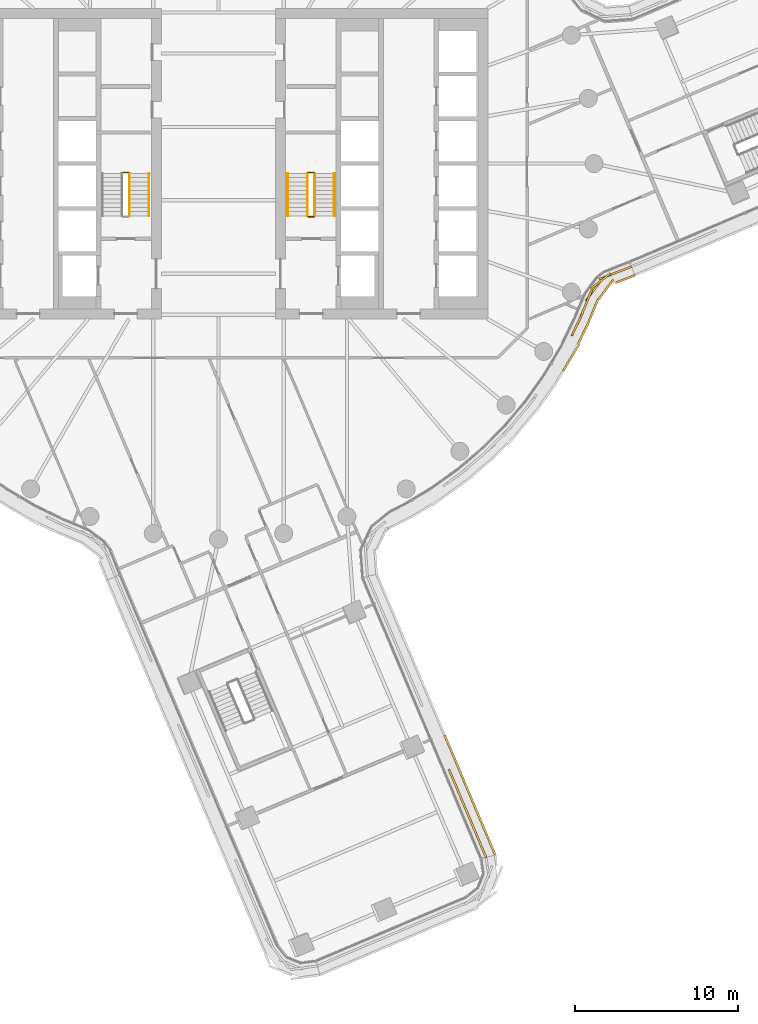
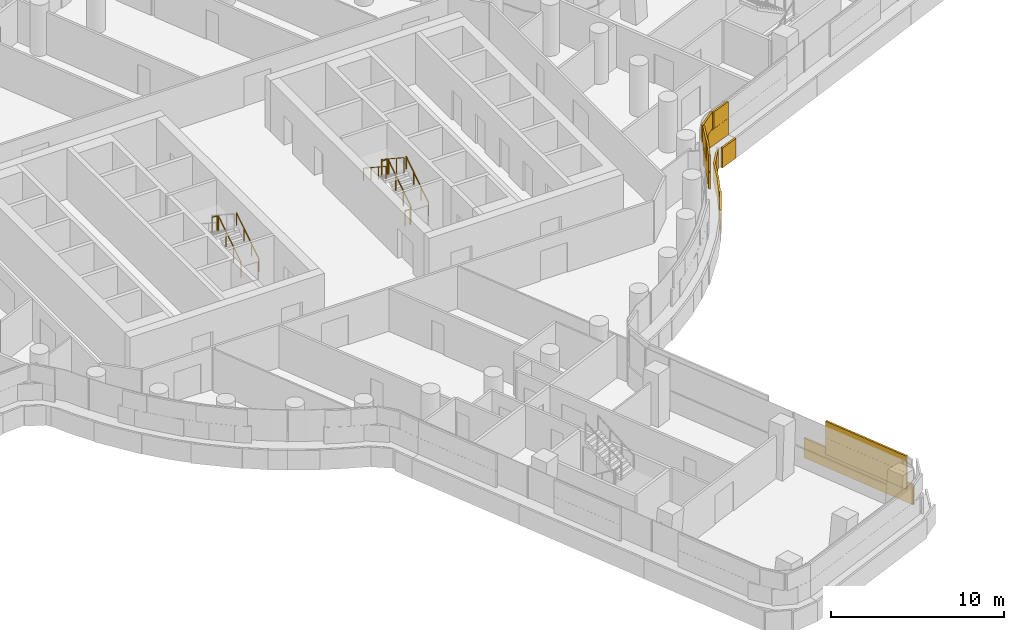
# One storey, part 31 of 35: 9 railings, 2 coverings.
"""IFC4 building model written with IfcOpenShell, lengths in metres."""

from ifc_helpers import new_model, si_unit, direction, frame, origin, origin_2d, place, context, subcontext, project, spatial, rectangle, circle, extrude, material, layer, layer_set, type_object, element, save


model = new_model("IFC4")

# Units and contexts
model_context = context("Model", 3, precision=1e-05, world=origin(), true_north=direction((0.0, 1.0)))
body_context = subcontext(model_context, "Body", "Model", "MODEL_VIEW")
ifc_project = project(units=[si_unit("LENGTHUNIT", "METRE"), si_unit("AREAUNIT", "SQUARE_METRE"), si_unit("VOLUMEUNIT", "CUBIC_METRE"), si_unit("PLANEANGLEUNIT", "RADIAN"), si_unit("MASSUNIT", "GRAM", prefix="KILO")], contexts=[model_context])

# Site, building, storey
site_placement = place(None, origin())
site = spatial("IfcSite", under=ifc_project, at=site_placement, CompositionType="ELEMENT")
building_placement = place(site_placement, origin())
building = spatial("IfcBuilding", under=site, at=building_placement, Name="Tamarind Cross Interchange Tower", CompositionType="ELEMENT")
storey_placement = place(building_placement, frame((0.0, 0.0, 117.25)))
storey = spatial("IfcBuildingStorey", under=building, at=storey_placement, Name="L28", CompositionType="ELEMENT", Elevation=117.25)

# Railings
ifc_material_1 = material(Name="Stair guard")
railing_type_1 = type_object("IfcRailingType", Name="Stair guard", PredefinedType="GUARDRAIL", material=ifc_material_1)
railing_1_placement = place(storey_placement, frame((-5.449951171875, -3.199951171875, 0.17041015625)))
element("IfcRailing", 1, at=railing_1_placement, inside=storey, type_object=railing_type_1, Name="L28 ST1 stair guard 1", PredefinedType="GUARDRAIL", context=body_context, shape_type="SweptSolid", body=[
    extrude(circle(Radius=0.02392578125, at=origin_2d()), frame((0.0, 0.0, 1.076171875), z_axis=(0.0, 0.836278606002, 0.548304744775), x_axis=(-1.0, 0.0, 0.0)), (0.0, 0.0, 1.0), 3.10888671875),
    extrude(circle(Radius=0.02099609375, at=origin_2d()), origin(), (0.0, 0.0, 1.0), 1.052001953125),
    extrude(circle(Radius=0.02099609375, at=origin_2d()), frame((0.0, 0.86669921875, 0.568115234375)), (0.0, 0.0, 1.0), 1.052001953125),
    extrude(circle(Radius=0.02099609375, at=origin_2d()), frame((0.0, 1.733154296875, 1.136474609375)), (0.0, 0.0, 1.0), 1.052001953125),
    extrude(circle(Radius=0.02099609375, at=origin_2d()), frame((0.0, 2.599853515625, 1.70458984375)), (0.0, 0.0, 1.0), 1.052001953125),
])
railing_2_placement = place(storey_placement, frame((-5.5, -0.550048828125, 1.875)))
element("IfcRailing", 2, at=railing_2_placement, inside=storey, type_object=railing_type_1, Name="L28 ST1 stair guard 2", PredefinedType="GUARDRAIL", context=body_context, shape_type="SweptSolid", body=[
    extrude(circle(Radius=0.02392578125, at=origin_2d()), frame((0.0, 0.0, 1.076171875), z_axis=(-1.0, 0.0, 0.0), x_axis=(0.0, -1.0, 0.0)), (0.0, 0.0, 1.0), 0.35009765625),
    extrude(circle(Radius=0.02099609375, at=origin_2d()), origin(), (0.0, 0.0, 1.0), 1.052001953125),
    extrude(circle(Radius=0.02099609375, at=origin_2d()), frame((-0.35009765625, 0.0, 0.0)), (0.0, 0.0, 1.0), 1.052001953125),
])
railing_3_placement = place(storey_placement, frame((5.89990234375, -3.199951171875, 0.17041015625)))
element("IfcRailing", 3, at=railing_3_placement, inside=storey, type_object=railing_type_1, Name="L28 ST2 stair guard 1", PredefinedType="GUARDRAIL", context=body_context, shape_type="SweptSolid", body=[
    extrude(circle(Radius=0.02392578125, at=origin_2d()), frame((0.0, 0.0, 1.076171875), z_axis=(0.0, 0.836278606002, 0.548304744775), x_axis=(-1.0, 0.0, 0.0)), (0.0, 0.0, 1.0), 3.10888671875),
    extrude(circle(Radius=0.02099609375, at=origin_2d()), origin(), (0.0, 0.0, 1.0), 1.052001953125),
    extrude(circle(Radius=0.02099609375, at=origin_2d()), frame((0.0, 0.86669921875, 0.568115234375)), (0.0, 0.0, 1.0), 1.052001953125),
    extrude(circle(Radius=0.02099609375, at=origin_2d()), frame((0.0, 1.733154296875, 1.136474609375)), (0.0, 0.0, 1.0), 1.052001953125),
    extrude(circle(Radius=0.02099609375, at=origin_2d()), frame((0.0, 2.599853515625, 1.70458984375)), (0.0, 0.0, 1.0), 1.052001953125),
])
railing_4_placement = place(storey_placement, frame((5.85009765625, -0.550048828125, 1.875)))
element("IfcRailing", 4, at=railing_4_placement, inside=storey, type_object=railing_type_1, Name="L28 ST2 stair guard 2", PredefinedType="GUARDRAIL", context=body_context, shape_type="SweptSolid", body=[
    extrude(circle(Radius=0.02392578125, at=origin_2d()), frame((0.0, 0.0, 1.076171875), z_axis=(-1.0, 0.0, 0.0), x_axis=(0.0, -1.0, 0.0)), (0.0, 0.0, 1.0), 0.35009765625),
    extrude(circle(Radius=0.02099609375, at=origin_2d()), origin(), (0.0, 0.0, 1.0), 1.052001953125),
    extrude(circle(Radius=0.02099609375, at=origin_2d()), frame((-0.35009765625, 0.0, 0.0)), (0.0, 0.0, 1.0), 1.052001953125),
])
railing_5_placement = place(storey_placement, frame((5.449951171875, -0.60009765625, 2.04541015625)))
element("IfcRailing", 5, at=railing_5_placement, inside=storey, type_object=railing_type_1, Name="L28 ST2 stair guard 3", PredefinedType="GUARDRAIL", context=body_context, shape_type="SweptSolid", body=[
    extrude(circle(Radius=0.02392578125, at=origin_2d()), frame((0.0, 0.0, 1.076171875), z_axis=(0.0, -0.836278606002, 0.548304744775), x_axis=(1.0, 0.0, 0.0)), (0.0, 0.0, 1.0), 3.10888671875),
    extrude(circle(Radius=0.02099609375, at=origin_2d()), origin(), (0.0, 0.0, 1.0), 1.052001953125),
    extrude(circle(Radius=0.02099609375, at=origin_2d()), frame((0.0, -0.86669921875, 0.568115234375)), (0.0, 0.0, 1.0), 1.052001953125),
    extrude(circle(Radius=0.02099609375, at=origin_2d()), frame((0.0, -1.733154296875, 1.136474609375)), (0.0, 0.0, 1.0), 1.052001953125),
    extrude(circle(Radius=0.02099609375, at=origin_2d()), frame((0.0, -2.599853515625, 1.70458984375)), (0.0, 0.0, 1.0), 1.052001953125),
])
railing_6_placement = place(storey_placement, frame((5.85009765625, -3.25, 0.0)))
element("IfcRailing", 6, at=railing_6_placement, inside=storey, type_object=railing_type_1, Name="L28 ST2 stair guard 4", PredefinedType="GUARDRAIL", context=body_context, shape_type="SweptSolid", body=[
    extrude(circle(Radius=0.02392578125, at=origin_2d()), frame((0.0, 0.0, 1.076171875), z_axis=(-1.0, 0.0, 0.0), x_axis=(0.0, -1.0, 0.0)), (0.0, 0.0, 1.0), 0.35009765625),
    extrude(circle(Radius=0.02099609375, at=origin_2d()), origin(), (0.0, 0.0, 1.0), 1.052001953125),
    extrude(circle(Radius=0.02099609375, at=origin_2d()), frame((-0.35009765625, 0.0, 0.0)), (0.0, 0.0, 1.0), 1.052001953125),
])
ifc_material_2 = material(Name="Stair handrail")
railing_type_2 = type_object("IfcRailingType", Name="Stair handrail", PredefinedType="HANDRAIL", material=ifc_material_2)
for number, where, name in (
    (7, (-4.25, -3.199951171875, 0.17041015625), "L28 ST1 stair handrail 1"),
    (8, (7.10009765625, -3.199951171875, 0.17041015625), "L28 ST2 stair handrail 1"),
):
    element("IfcRailing", number, at=place(storey_placement, frame(where)), inside=storey, type_object=railing_type_2, Name=name, PredefinedType="HANDRAIL", context=body_context, shape_type="SweptSolid", body=[
        extrude(circle(Radius=0.02392578125, at=origin_2d()), frame((0.0, 0.0, 0.8759765625), z_axis=(0.0, 0.836278606002, 0.548304744775), x_axis=(-1.0, 0.0, 0.0)), (0.0, 0.0, 1.0), 3.10888671875),
        extrude(circle(Radius=0.02099609375, at=origin_2d()), origin(), (0.0, 0.0, 1.0), 0.851806640625),
        extrude(circle(Radius=0.02099609375, at=origin_2d()), frame((0.0, 0.86669921875, 0.568115234375)), (0.0, 0.0, 1.0), 0.851806640625),
        extrude(circle(Radius=0.02099609375, at=origin_2d()), frame((0.0, 1.733154296875, 1.136474609375)), (0.0, 0.0, 1.0), 0.851806640625),
        extrude(circle(Radius=0.02099609375, at=origin_2d()), frame((0.0, 2.599853515625, 1.70458984375)), (0.0, 0.0, 1.0), 0.851806640625),
    ])
railing_7_placement = place(storey_placement, frame((4.25, -0.60009765625, 2.04541015625)))
element("IfcRailing", 9, at=railing_7_placement, inside=storey, type_object=railing_type_2, Name="L28 ST2 stair handrail 2", PredefinedType="HANDRAIL", context=body_context, shape_type="SweptSolid", body=[
    extrude(circle(Radius=0.02392578125, at=origin_2d()), frame((0.0, 0.0, 0.8759765625), z_axis=(0.0, -0.836278606002, 0.548304744775), x_axis=(1.0, 0.0, 0.0)), (0.0, 0.0, 1.0), 3.10888671875),
    extrude(circle(Radius=0.02099609375, at=origin_2d()), origin(), (0.0, 0.0, 1.0), 0.851806640625),
    extrude(circle(Radius=0.02099609375, at=origin_2d()), frame((0.0, -0.86669921875, 0.568115234375)), (0.0, 0.0, 1.0), 0.851806640625),
    extrude(circle(Radius=0.02099609375, at=origin_2d()), frame((0.0, -1.733154296875, 1.136474609375)), (0.0, 0.0, 1.0), 0.851806640625),
    extrude(circle(Radius=0.02099609375, at=origin_2d()), frame((0.0, -2.599853515625, 1.70458984375)), (0.0, 0.0, 1.0), 0.851806640625),
])

# Coverings
ifc_material_3 = material(Name="Terracotta", Category="masonry")
ifc_layer = layer(ifc_material_3, 0.1201171875)
ifc_layer_set = layer_set([ifc_layer], Name="Terracotta")
covering_type = type_object("IfcCoveringType", Name="Terracotta baguette screen unit", PredefinedType="MOLDING", material=ifc_layer_set)
covering_1_placement = place(storey_placement, origin())
element("IfcCovering", 10, at=covering_1_placement, inside=storey, type_object=covering_type, Name="SCR-L28-05-00", PredefinedType="MOLDING", context=body_context, shape_type="SweptSolid", body=[
    extrude(rectangle(XDim=1.510009765625, YDim=0.1201171875, at=origin_2d()), frame((16.1015625, -41.800048828125, 1.404052734375), z_axis=(0.0, 0.0, 1.0), x_axis=(-0.388938701154, 0.921263635853, 0.0)), (0.0, 0.0, 1.0), 1.1669921875),
    extrude(rectangle(XDim=1.52001953125, YDim=0.1201171875, at=origin_2d()), frame((15.518310546875, -40.418212890625, 1.404052734375), z_axis=(0.0, 0.0, 1.0), x_axis=(-0.388938701154, 0.921263635853, 0.0)), (0.0, 0.0, 1.0), 1.1669921875),
    extrude(rectangle(XDim=1.52001953125, YDim=0.1201171875, at=origin_2d()), frame((14.934814453125, -39.036376953125, 1.404052734375), z_axis=(0.0, 0.0, 1.0), x_axis=(-0.388938701154, 0.921263635853, 0.0)), (0.0, 0.0, 1.0), 1.1669921875),
    extrude(rectangle(XDim=1.362548828125, YDim=0.1201171875, at=origin_2d()), frame((14.380126953125, -37.722412109375, 1.404052734375), z_axis=(0.0, 0.0, 1.0), x_axis=(-0.388938701154, 0.921263635853, 0.0)), (0.0, 0.0, 1.0), 1.1669921875),
    extrude(rectangle(XDim=0.760009765625, YDim=0.1201171875, at=origin_2d()), frame((16.24755859375, -42.1455078125, 2.5791015625), z_axis=(0.0, 0.0, 1.0), x_axis=(-0.388938701154, 0.921263635853, 0.0)), (0.0, 0.0, 1.0), 1.1669921875),
    extrude(rectangle(XDim=1.52001953125, YDim=0.1201171875, at=origin_2d()), frame((15.809814453125, -41.109130859375, 2.5791015625), z_axis=(0.0, 0.0, 1.0), x_axis=(-0.388938701154, 0.921263635853, 0.0)), (0.0, 0.0, 1.0), 1.1669921875),
    extrude(rectangle(XDim=1.52001953125, YDim=0.1201171875, at=origin_2d()), frame((15.2265625, -39.727294921875, 2.5791015625), z_axis=(0.0, 0.0, 1.0), x_axis=(-0.388938701154, 0.921263635853, 0.0)), (0.0, 0.0, 1.0), 1.1669921875),
    extrude(rectangle(XDim=1.52001953125, YDim=0.1201171875, at=origin_2d()), frame((14.64306640625, -38.345458984375, 2.5791015625), z_axis=(0.0, 0.0, 1.0), x_axis=(-0.388938701154, 0.921263635853, 0.0)), (0.0, 0.0, 1.0), 1.1669921875),
    extrude(rectangle(XDim=0.612548828125, YDim=0.1201171875, at=origin_2d()), frame((14.234130859375, -37.376953125, 2.5791015625), z_axis=(0.0, 0.0, 1.0), x_axis=(-0.388938701154, 0.921263635853, 0.0)), (0.0, 0.0, 1.0), 1.1669921875),
    extrude(rectangle(XDim=1.510009765625, YDim=0.1201171875, at=origin_2d()), frame((16.65771484375, -41.641357421875, 0.00390625), z_axis=(0.0, 0.0, 1.0), x_axis=(-0.388938701154, 0.921263635853, 0.0)), (0.0, 0.0, 1.0), 1.39208984375),
    extrude(rectangle(XDim=1.52001953125, YDim=0.1201171875, at=origin_2d()), frame((16.076171875, -40.26416015625, 0.00390625), z_axis=(0.0, 0.0, 1.0), x_axis=(-0.388938701154, 0.921263635853, 0.0)), (0.0, 0.0, 1.0), 1.39208984375),
    extrude(rectangle(XDim=1.52001953125, YDim=0.1201171875, at=origin_2d()), frame((15.492919921875, -38.88232421875, 0.00390625), z_axis=(0.0, 0.0, 1.0), x_axis=(-0.388938701154, 0.921263635853, 0.0)), (0.0, 0.0, 1.0), 1.39208984375),
    extrude(rectangle(XDim=1.52001953125, YDim=0.1201171875, at=origin_2d()), frame((14.909423828125, -37.500244140625, 0.00390625), z_axis=(0.0, 0.0, 1.0), x_axis=(-0.388938701154, 0.921263635853, 0.0)), (0.0, 0.0, 1.0), 1.39208984375),
    extrude(rectangle(XDim=1.52001953125, YDim=0.1201171875, at=origin_2d()), frame((14.325927734375, -36.118408203125, 0.00390625), z_axis=(0.0, 0.0, 1.0), x_axis=(-0.388938701154, 0.921263635853, 0.0)), (0.0, 0.0, 1.0), 1.39208984375),
    extrude(rectangle(XDim=0.453857421875, YDim=0.1201171875, at=origin_2d()), frame((13.949951171875, -35.2275390625, 0.00390625), z_axis=(0.0, 0.0, 1.0), x_axis=(-0.388938701154, 0.921263635853, 0.0)), (0.0, 0.0, 1.0), 1.39208984375),
])
covering_2_placement = place(storey_placement, origin())
element("IfcCovering", 11, at=covering_2_placement, inside=storey, type_object=covering_type, Name="SCR-L28-06-01", PredefinedType="MOLDING", context=body_context, shape_type="SweptSolid", body=[
    extrude(rectangle(XDim=0.824462890625, YDim=0.1201171875, at=origin_2d()), frame((21.810546875, -10.176513671875, 1.404052734375), z_axis=(0.0, 0.0, 1.0), x_axis=(0.435326231914, 0.900272776334, 0.0)), (0.0, 0.0, 1.0), 1.1669921875),
    extrude(rectangle(XDim=1.52001953125, YDim=0.1201171875, at=origin_2d()), frame((22.288818359375, -9.123291015625, 1.404052734375), z_axis=(0.0, 0.0, 1.0), x_axis=(0.383930399999, 0.92336203515, 0.0)), (0.0, 0.0, 1.0), 1.1669921875),
    extrude(rectangle(XDim=1.52001953125, YDim=0.1201171875, at=origin_2d()), frame((22.954833984375, -7.789306640625, 1.404052734375), z_axis=(0.0, 0.0, 1.0), x_axis=(0.594688681697, 0.803956075829, 0.0)), (0.0, 0.0, 1.0), 1.1669921875),
    extrude(rectangle(XDim=1.52001953125, YDim=0.1201171875, at=origin_2d()), frame((24.037109375, -6.800048828125, 1.404052734375), z_axis=(0.0, 0.0, 1.0), x_axis=(0.930260344584, 0.366900110784, 0.0)), (0.0, 0.0, 1.0), 1.1669921875),
    extrude(rectangle(XDim=0.610595703125, YDim=0.1201171875, at=origin_2d()), frame((25.01416015625, -6.41455078125, 1.404052734375), z_axis=(0.0, 0.0, 1.0), x_axis=(0.930260344584, 0.366900110784, 0.0)), (0.0, 0.0, 1.0), 1.1669921875),
    extrude(rectangle(XDim=1.52001953125, YDim=0.1201171875, at=origin_2d()), frame((21.98779296875, -9.809814453125, 2.5791015625), z_axis=(0.0, 0.0, 1.0), x_axis=(0.435326231914, 0.900272776334, 0.0)), (0.0, 0.0, 1.0), 1.1669921875),
    extrude(rectangle(XDim=1.52001953125, YDim=0.1201171875, at=origin_2d()), frame((22.57666015625, -8.4306640625, 2.5791015625), z_axis=(0.0, 0.0, 1.0), x_axis=(0.383930399999, 0.92336203515, 0.0)), (0.0, 0.0, 1.0), 1.1669921875),
    extrude(rectangle(XDim=1.52001953125, YDim=0.1201171875, at=origin_2d()), frame((23.406494140625, -7.191650390625, 2.5791015625), z_axis=(0.0, 0.0, 1.0), x_axis=(0.784398648248, 0.620257011752, 0.0)), (0.0, 0.0, 1.0), 1.1669921875),
    extrude(rectangle(XDim=1.360595703125, YDim=0.1201171875, at=origin_2d()), frame((24.665283203125, -6.55224609375, 2.5791015625), z_axis=(0.0, 0.0, 1.0), x_axis=(0.930260344584, 0.366900110784, 0.0)), (0.0, 0.0, 1.0), 1.1669921875),
    extrude(rectangle(XDim=0.382080078125, YDim=0.1201171875, at=origin_2d()), frame((21.222412109375, -12.5185546875, 0.00390625), z_axis=(0.0, 0.0, 1.0), x_axis=(0.508183308752, 0.861248933065, 0.0)), (0.0, 0.0, 1.0), 1.39208984375),
    extrude(rectangle(XDim=1.52001953125, YDim=0.1201171875, at=origin_2d()), frame((21.695556640625, -11.716796875, 0.00390625), z_axis=(0.0, 0.0, 1.0), x_axis=(0.508183308752, 0.861248933065, 0.0)), (0.0, 0.0, 1.0), 1.39208984375),
    extrude(rectangle(XDim=1.52001953125, YDim=0.1201171875, at=origin_2d()), frame((22.354736328125, -10.36962890625, 0.00390625), z_axis=(0.0, 0.0, 1.0), x_axis=(0.435326231914, 0.900272776334, 0.0)), (0.0, 0.0, 1.0), 1.39208984375),
    extrude(rectangle(XDim=1.52001953125, YDim=0.1201171875, at=origin_2d()), frame((22.962158203125, -8.998779296875, 0.00390625), z_axis=(0.0, 0.0, 1.0), x_axis=(0.383930399999, 0.92336203515, 0.0)), (0.0, 0.0, 1.0), 1.39208984375),
    extrude(rectangle(XDim=1.52001953125, YDim=0.1201171875, at=origin_2d()), frame((23.7216796875, -7.7177734375, 0.00390625), z_axis=(0.0, 0.0, 1.0), x_axis=(0.594688681697, 0.803956075829, 0.0)), (0.0, 0.0, 1.0), 1.39208984375),
    extrude(rectangle(XDim=1.281982421875, YDim=0.1201171875, at=origin_2d()), frame((24.91455078125, -7.071044921875, 0.00390625), z_axis=(0.0, 0.0, 1.0), x_axis=(0.930260344584, 0.366900110784, 0.0)), (0.0, 0.0, 1.0), 1.39208984375),
])

save(model, "model.ifc")
